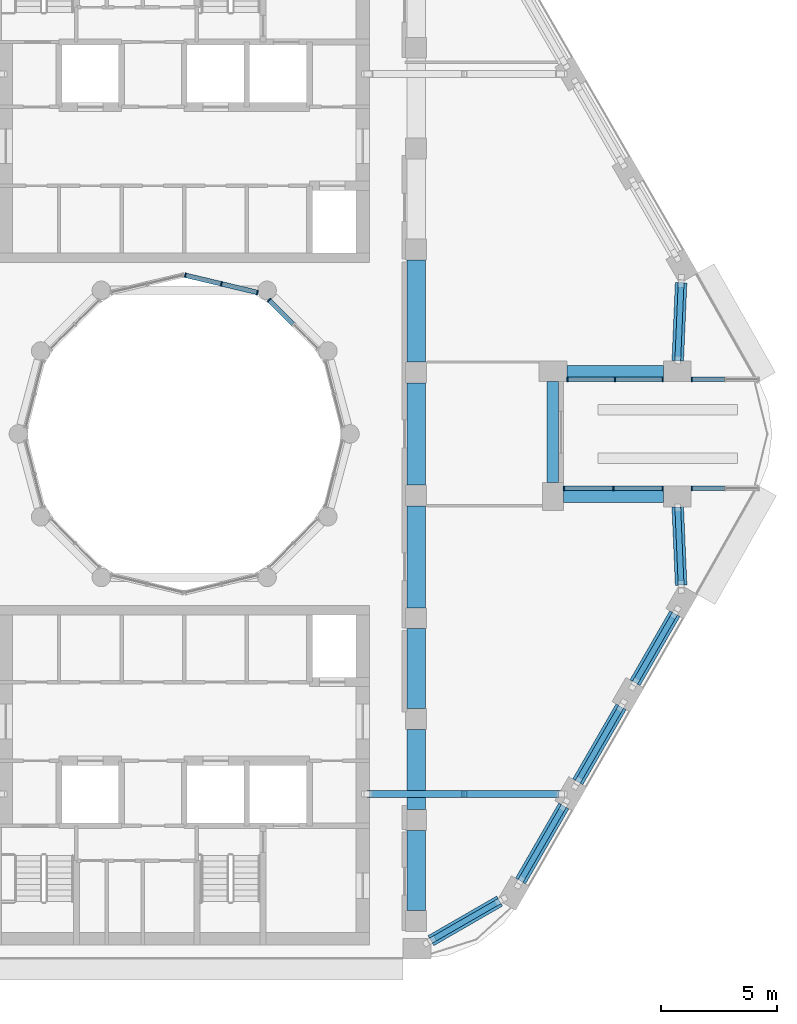
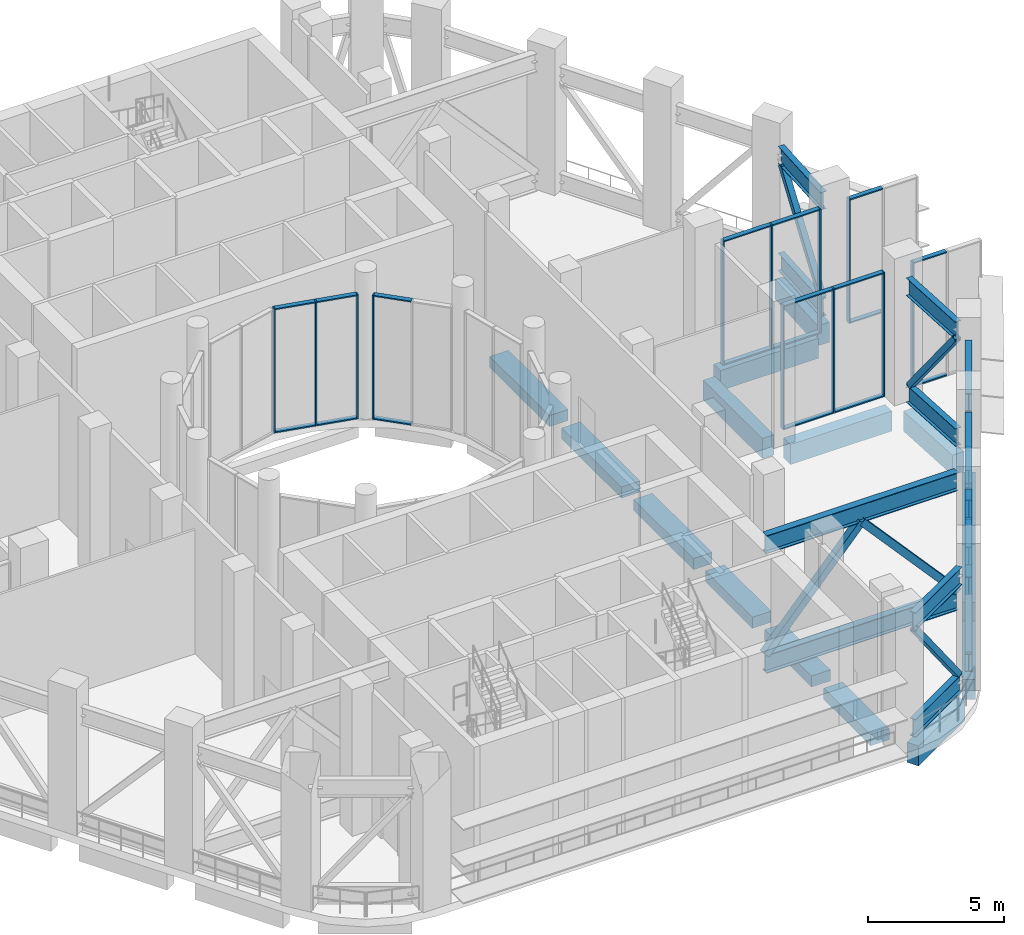
# One storey, part 4 of 19: 52 members, 15 beams, 6 elements without a shape of their own.
"""IFC4 building model written with IfcOpenShell, lengths in metres."""

import ifcopenshell
import ifcopenshell.guid

model = None  # the IFC model being written
_history = None  # IfcOwnerHistory: only IFC2X3 demands one
_inside = {}  # id of a spatial element -> (the spatial element, [elements in it])
_under = {}  # id of a project, library or spatial element -> (it, [spatial elements below it])
_declared = {}  # id of a project -> (the project, [libraries it declares])
_typed = {}  # id of a type object -> (the type object, [elements of that type])
_made_of = {}  # id of a material, layer set ... -> (it, [elements and type objects made of it])


def new_model(schema):
    """Start an empty IFC model of exactly this schema.

    Asked for "IFC4X3", IfcOpenShell would pick the latest addendum, in which some entities
    have other attributes; the version numbers below select the first issue.
    IFC2X3 requires an IfcOwnerHistory on every rooted entity: one is made here for all.
    """
    global model, _history
    if schema == "IFC4X3":
        model = ifcopenshell.file(schema_version=(4, 3, 0, 0))
    else:
        model = ifcopenshell.file(schema=schema)
    _inside.clear()
    _under.clear()
    _declared.clear()
    _typed.clear()
    _made_of.clear()
    _history = None
    if model.schema == "IFC2X3":
        org = make("IfcOrganization", Name="unknown")
        user = make(
            "IfcPersonAndOrganization",
            ThePerson=make("IfcPerson", FamilyName="unknown"),
            TheOrganization=org,
        )
        app = make(
            "IfcApplication",
            ApplicationDeveloper=org,
            Version="unknown",
            ApplicationFullName="unknown",
            ApplicationIdentifier="unknown",
        )
        _history = make(
            "IfcOwnerHistory",
            OwningUser=user,
            OwningApplication=app,
            ChangeAction="ADDED",
            CreationDate=0,
        )
    return model


def make(cls, **values):
    """One entity of the class cls with the attributes given. An attribute that is None is left unset."""
    return model.create_entity(
        cls, **{name: value for name, value in values.items() if value is not None}
    )


def rooted(cls, **values):
    """An entity with a GlobalId (a new one), such as an element, a storey or a relation."""
    return make(cls, GlobalId=ifcopenshell.guid.new(), OwnerHistory=_history, **values)


def si_unit(unit_type, name, prefix=None):
    """IfcSIUnit, for example si_unit("LENGTHUNIT", "METRE", prefix="MILLI")."""
    return make("IfcSIUnit", UnitType=unit_type, Prefix=prefix, Name=name)


def assignment(units):
    """IfcUnitAssignment: the units of a project."""
    return None if units is None else make("IfcUnitAssignment", Units=units)


def point(xyz):
    """IfcCartesianPoint."""
    return None if xyz is None else make("IfcCartesianPoint", Coordinates=xyz)


def direction(xyz):
    """IfcDirection."""
    return None if xyz is None else make("IfcDirection", DirectionRatios=xyz)


def frame(location, z_axis=None, x_axis=None):
    """IfcAxis2Placement3D, a coordinate frame: its origin and axes. An axis left out is left unset."""
    return make(
        "IfcAxis2Placement3D",
        Location=point(location),
        Axis=direction(z_axis),
        RefDirection=direction(x_axis),
    )


def frame_2d(location, x_axis=None):
    """IfcAxis2Placement2D, a coordinate frame in the plane: its origin and x axis."""
    return make(
        "IfcAxis2Placement2D", Location=point(location), RefDirection=direction(x_axis)
    )


def origin():
    """The frame at (0, 0, 0) with its axes left unset."""
    return frame((0.0, 0.0, 0.0))


def origin_2d():
    """The frame at (0, 0) in the plane with its x axis left unset."""
    return frame_2d((0.0, 0.0))


def place(relative_to, where):
    """IfcLocalPlacement: puts the frame where relative to a parent placement (None: the world)."""
    return make(
        "IfcLocalPlacement", PlacementRelTo=relative_to, RelativePlacement=where
    )


def context(
    kind, dimensions, precision=None, world=None, true_north=None, identifier=None
):
    """IfcGeometricRepresentationContext, for example the 3D "Model" context."""
    return make(
        "IfcGeometricRepresentationContext",
        ContextIdentifier=identifier,
        ContextType=kind,
        CoordinateSpaceDimension=dimensions,
        Precision=precision,
        WorldCoordinateSystem=world,
        TrueNorth=true_north,
    )


def subcontext(parent, identifier, kind, view, scale=None):
    """IfcGeometricRepresentationSubContext, for example "Body" below "Model"."""
    return make(
        "IfcGeometricRepresentationSubContext",
        ContextIdentifier=identifier,
        ContextType=kind,
        ParentContext=parent,
        TargetScale=scale,
        TargetView=view,
    )


def project(units=None, contexts=None):
    """IfcProject with its units and contexts."""
    return rooted(
        "IfcProject",
        Name="project",
        RepresentationContexts=contexts,
        UnitsInContext=assignment(units),
    )


def spatial(cls, under=None, at=None, **own):
    """A site, building, storey or space (cls), placed at a placement, below another one or the project."""
    s = rooted(cls, ObjectPlacement=at, **own)
    if under is not None:
        _under.setdefault(under.id(), (under, []))[1].append(s)
    return s


def profile(cls, at=None, kind="AREA", **sizes):
    """A parametric profile (cls). Its sizes go by their IFC names, for example OverallWidth=200.0."""
    return make(cls, ProfileType=kind, Position=at, **sizes)


def rectangle(**sizes):
    """IfcRectangleProfileDef."""
    return profile("IfcRectangleProfileDef", **sizes)


def hollow_rectangle(**sizes):
    """IfcRectangleHollowProfileDef."""
    return profile("IfcRectangleHollowProfileDef", **sizes)


def i_section(**sizes):
    """IfcIShapeProfileDef."""
    return profile("IfcIShapeProfileDef", **sizes)


def extrude(swept, where, along, depth):
    """IfcExtrudedAreaSolid: the profile swept, set in the frame where, extruded along a direction by depth."""
    return make(
        "IfcExtrudedAreaSolid",
        SweptArea=swept,
        Position=where,
        ExtrudedDirection=direction(along),
        Depth=depth,
    )


def shape(context_of_items, identifier, shape_type, items):
    """IfcShapeRepresentation: the items that make up one representation, for example the "Body"."""
    return make(
        "IfcShapeRepresentation",
        ContextOfItems=context_of_items,
        RepresentationIdentifier=identifier,
        RepresentationType=shape_type,
        Items=items,
    )


def material(Name=None, Category=None):
    """IfcMaterial."""
    return make("IfcMaterial", Name=Name, Category=Category)


def layer(
    of_material, thickness, ventilated=None, Name=None, Category=None, Priority=None
):
    """IfcMaterialLayer: one layer of a wall or slab, of a material (None: an air gap)."""
    return make(
        "IfcMaterialLayer",
        Material=of_material,
        LayerThickness=thickness,
        IsVentilated=ventilated,
        Name=Name,
        Category=Category,
        Priority=Priority,
    )


def layer_set(layers, Name=None):
    """IfcMaterialLayerSet."""
    return make("IfcMaterialLayerSet", MaterialLayers=layers, LayerSetName=Name)


def material_profile(
    of_material, cross_section, Name=None, Category=None, Priority=None
):
    """IfcMaterialProfile: a cross section and its material."""
    return make(
        "IfcMaterialProfile",
        Name=Name,
        Material=of_material,
        Profile=cross_section,
        Priority=Priority,
        Category=Category,
    )


def profile_set(profiles, Name=None, composite=None):
    """IfcMaterialProfileSet."""
    return make(
        "IfcMaterialProfileSet",
        Name=Name,
        MaterialProfiles=profiles,
        CompositeProfile=composite,
    )


def made_of(thing, what):
    """Note that an element or type object is made of a material, layer set ...; save() writes the relation."""
    if what is not None:
        _made_of.setdefault(what.id(), (what, []))[1].append(thing)
    return thing


def type_object(cls, material=None, **own):
    """A type object (cls), such as IfcWallType, which elements share."""
    return made_of(rooted(cls, **own), material)


def element(
    cls,
    number,
    at=None,
    inside=None,
    cuts=None,
    type_object=None,
    material=None,
    context=None,
    identifier="Body",
    shape_type=None,
    held_by="IfcProductDefinitionShape",
    body=None,
    shapes=None,
    **own,
):
    """One element of the class cls, such as IfcWall. Its Tag is "e" and its number.

    at: its placement. inside: the storey or other place that contains it. cuts: it is an
    opening in that element (IfcRelVoidsElement). A single representation is given by context,
    identifier, shape_type and body (its items); several are given by shapes. held_by: the class
    of the entity that holds the representations. save() writes the other relations.
    """
    e = rooted(cls, Tag="e%d" % number, ObjectPlacement=at, **own)
    if body is not None:
        shapes = [shape(context, identifier, shape_type, body)]
    if shapes is not None:
        e.Representation = make(held_by, Representations=shapes)
    if inside is not None:
        _inside.setdefault(inside.id(), (inside, []))[1].append(e)
    if cuts is not None:
        rooted(
            "IfcRelVoidsElement", RelatingBuildingElement=cuts, RelatedOpeningElement=e
        )
    if type_object is not None:
        _typed.setdefault(type_object.id(), (type_object, []))[1].append(e)
    return made_of(e, material)


def aggregate(whole, parts):
    """IfcRelAggregates: a whole, such as a stair, and the parts it consists of."""
    return rooted("IfcRelAggregates", RelatingObject=whole, RelatedObjects=parts)


def save(model, path):
    """Write the relations noted so far, then the file.

    IfcRelAggregates (storeys below a building ...), IfcRelContainedInSpatialStructure (elements
    in a storey), IfcRelDefinesByType, IfcRelAssociatesMaterial and IfcRelDeclares: one each for
    every whole, place, type object, material and project.
    """
    for whole, parts in _under.values():
        aggregate(whole, parts)
    for where, things in _inside.values():
        rooted(
            "IfcRelContainedInSpatialStructure",
            RelatedElements=things,
            RelatingStructure=where,
        )
    for kind, things in _typed.values():
        rooted("IfcRelDefinesByType", RelatedObjects=things, RelatingType=kind)
    for what, things in _made_of.values():
        rooted("IfcRelAssociatesMaterial", RelatedObjects=things, RelatingMaterial=what)
    for by, libraries in _declared.values():
        rooted("IfcRelDeclares", RelatingContext=by, RelatedDefinitions=libraries)
    model.write(path)


model = new_model("IFC4")

# Units and contexts
model_context = context("Model", 3, precision=1e-05, world=origin(), true_north=direction((0.0, 1.0)))
body_context = subcontext(model_context, "Body", "Model", "MODEL_VIEW")
ifc_project = project(units=[si_unit("LENGTHUNIT", "METRE"), si_unit("AREAUNIT", "SQUARE_METRE"), si_unit("VOLUMEUNIT", "CUBIC_METRE"), si_unit("PLANEANGLEUNIT", "RADIAN"), si_unit("MASSUNIT", "GRAM", prefix="KILO")], contexts=[model_context])

# Site, building, storey
site_placement = place(None, origin())
site = spatial("IfcSite", under=ifc_project, at=site_placement, CompositionType="ELEMENT")
building_placement = place(site_placement, origin())
building = spatial("IfcBuilding", under=site, at=building_placement, Name="Nakaniwa Court", CompositionType="ELEMENT")
storey_placement = place(building_placement, frame((0.0, 0.0, 219.60009765625)))
storey = spatial("IfcBuildingStorey", under=building, at=storey_placement, Name="S4", CompositionType="ELEMENT", Elevation=219.60009765625)

# Curtain wall, members
ifc_material_1 = material(Name="Black anodised aluminium frame with dark low-E laminated double glazing", Category="aluminium")
ifc_layer = layer(ifc_material_1, 0.199951171875)
ifc_layer_set = layer_set([ifc_layer], Name="Black anodised aluminium frame with dark low-E laminated double glazing")
curtain_wall_type = type_object("IfcCurtainWallType", Name="Amenity and sky level curtain wall", PredefinedType="NOTDEFINED", material=ifc_layer_set)
curtain_wall_1_placement = place(storey_placement, origin())
curtain_wall_1 = element("IfcCurtainWall", 1, at=curtain_wall_1_placement, inside=storey, type_object=curtain_wall_type, Name="S4 curtain wall CW3 45", PredefinedType="NOTDEFINED")
ifc_material_2 = material(Name="Black anodised aluminium extrusion", Category="aluminium")
ifc_material_profile_1 = material_profile(ifc_material_2, rectangle(XDim=0.199951171875, YDim=0.054931640625, at=origin_2d()), Name="Amenity and sky level curtain wall mullion 55x200")
ifc_profile_set_1 = profile_set([ifc_material_profile_1], Name="Black anodised aluminium extrusion")
member_type_1 = type_object("IfcMemberType", Name="Amenity and sky level curtain wall mullion 55x200", PredefinedType="MULLION", material=ifc_profile_set_1)
member_1_placement = place(storey_placement, frame((80.050048828125, 86.8408203125, 0.0), z_axis=(0.0, 0.0, 1.0), x_axis=(0.231791306712, 0.972765537081, 0.0)))
member_1 = element("IfcMember", 2, at=member_1_placement, type_object=member_type_1, Name="CW3 mullion 1", PredefinedType="MULLION", context=body_context, shape_type="SweptSolid", body=[
    extrude(rectangle(XDim=0.199951171875, YDim=0.054931640625, at=origin_2d()), origin(), (0.0, 0.0, 1.0), 5.58984375),
])
member_2_placement = place(storey_placement, frame((81.601806640625, 86.47119140625, 0.0), z_axis=(0.0, 0.0, 1.0), x_axis=(0.231791306712, 0.972765537081, 0.0)))
member_2 = element("IfcMember", 3, at=member_2_placement, type_object=member_type_1, Name="CW3 mullion 2", PredefinedType="MULLION", context=body_context, shape_type="SweptSolid", body=[
    extrude(rectangle(XDim=0.199951171875, YDim=0.054931640625, at=origin_2d()), origin(), (0.0, 0.0, 1.0), 5.58984375),
])
member_3_placement = place(storey_placement, frame((83.153564453125, 86.101318359375, 0.0), z_axis=(0.0, 0.0, 1.0), x_axis=(0.231791306712, 0.972765537081, 0.0)))
member_3 = element("IfcMember", 4, at=member_3_placement, type_object=member_type_1, Name="CW3 mullion 3", PredefinedType="MULLION", context=body_context, shape_type="SweptSolid", body=[
    extrude(rectangle(XDim=0.199951171875, YDim=0.054931640625, at=origin_2d()), origin(), (0.0, 0.0, 1.0), 5.58984375),
])

# Curtain wall, member
curtain_wall_2_placement = place(storey_placement, origin())
curtain_wall_2 = element("IfcCurtainWall", 5, at=curtain_wall_2_placement, inside=storey, type_object=curtain_wall_type, Name="S4 curtain wall CW3 46", PredefinedType="NOTDEFINED")
member_4_placement = place(storey_placement, frame((83.66259765625, 85.7685546875, 0.0), z_axis=(0.0, 0.0, 1.0), x_axis=(0.707106781187, 0.707106781187, 0.0)))
member_4 = element("IfcMember", 6, at=member_4_placement, type_object=member_type_1, Name="CW3 mullion 1", PredefinedType="MULLION", context=body_context, shape_type="SweptSolid", body=[
    extrude(rectangle(XDim=0.199951171875, YDim=0.054931640625, at=origin_2d()), origin(), (0.0, 0.0, 1.0), 5.58984375),
])

# Curtain wall, members
curtain_wall_3_placement = place(storey_placement, origin())
curtain_wall_3 = element("IfcCurtainWall", 7, at=curtain_wall_3_placement, inside=storey, type_object=curtain_wall_type, Name="S4 curtain wall CW3 00", PredefinedType="NOTDEFINED")
member_5_placement = place(storey_placement, frame((96.52294921875, 82.35009765625, 0.0), z_axis=(0.0, 0.0, 1.0), x_axis=(0.0, 1.0, 0.0)))
member_5 = element("IfcMember", 8, at=member_5_placement, type_object=member_type_1, Name="CW3 mullion 1", PredefinedType="MULLION", context=body_context, shape_type="SweptSolid", body=[
    extrude(rectangle(XDim=0.199951171875, YDim=0.054931640625, at=origin_2d()), origin(), (0.0, 0.0, 1.0), 5.58984375),
])
member_6_placement = place(storey_placement, frame((98.581787109375, 82.35009765625, 0.0), z_axis=(0.0, 0.0, 1.0), x_axis=(0.0, 1.0, 0.0)))
member_6 = element("IfcMember", 9, at=member_6_placement, type_object=member_type_1, Name="CW3 mullion 2", PredefinedType="MULLION", context=body_context, shape_type="SweptSolid", body=[
    extrude(rectangle(XDim=0.199951171875, YDim=0.054931640625, at=origin_2d()), origin(), (0.0, 0.0, 1.0), 5.58984375),
])
member_7_placement = place(storey_placement, frame((100.640380859375, 82.35009765625, 0.0), z_axis=(0.0, 0.0, 1.0), x_axis=(0.0, 1.0, 0.0)))
member_7 = element("IfcMember", 10, at=member_7_placement, type_object=member_type_1, Name="CW3 mullion 3", PredefinedType="MULLION", context=body_context, shape_type="SweptSolid", body=[
    extrude(rectangle(XDim=0.199951171875, YDim=0.054931640625, at=origin_2d()), origin(), (0.0, 0.0, 1.0), 5.58984375),
])

# Curtain wall, member
curtain_wall_4_placement = place(storey_placement, origin())
curtain_wall_4 = element("IfcCurtainWall", 11, at=curtain_wall_4_placement, inside=storey, type_object=curtain_wall_type, Name="S4 curtain wall CW3 01", PredefinedType="NOTDEFINED")
member_8_placement = place(storey_placement, frame((101.887451171875, 82.35009765625, 0.0), z_axis=(0.0, 0.0, 1.0), x_axis=(0.0, 1.0, 0.0)))
member_8 = element("IfcMember", 12, at=member_8_placement, type_object=member_type_1, Name="CW3 mullion 1", PredefinedType="MULLION", context=body_context, shape_type="SweptSolid", body=[
    extrude(rectangle(XDim=0.199951171875, YDim=0.054931640625, at=origin_2d()), origin(), (0.0, 0.0, 1.0), 5.58984375),
])

curtain_wall_5_placement = place(storey_placement, origin())
curtain_wall_5 = element("IfcCurtainWall", 13, at=curtain_wall_5_placement, inside=storey, type_object=curtain_wall_type, Name="S4 curtain wall CW3 33", PredefinedType="NOTDEFINED")
member_9_placement = place(storey_placement, frame((101.887451171875, 77.64990234375, 0.0), z_axis=(0.0, 0.0, 1.0), x_axis=(0.0, -1.0, 0.0)))
member_9 = element("IfcMember", 14, at=member_9_placement, type_object=member_type_1, Name="CW3 mullion 3", PredefinedType="MULLION", context=body_context, shape_type="SweptSolid", body=[
    extrude(rectangle(XDim=0.199951171875, YDim=0.054931640625, at=origin_2d()), origin(), (0.0, 0.0, 1.0), 5.58984375),
])

# Curtain wall, members
curtain_wall_6_placement = place(storey_placement, origin())
curtain_wall_6 = element("IfcCurtainWall", 15, at=curtain_wall_6_placement, inside=storey, type_object=curtain_wall_type, Name="S4 curtain wall CW3 34", PredefinedType="NOTDEFINED")
member_10_placement = place(storey_placement, frame((100.640380859375, 77.64990234375, 0.0), z_axis=(0.0, 0.0, 1.0), x_axis=(0.0, -1.0, 0.0)))
member_10 = element("IfcMember", 16, at=member_10_placement, type_object=member_type_1, Name="CW3 mullion 1", PredefinedType="MULLION", context=body_context, shape_type="SweptSolid", body=[
    extrude(rectangle(XDim=0.199951171875, YDim=0.054931640625, at=origin_2d()), origin(), (0.0, 0.0, 1.0), 5.58984375),
])
member_11_placement = place(storey_placement, frame((98.5068359375, 77.64990234375, 0.0), z_axis=(0.0, 0.0, 1.0), x_axis=(0.0, -1.0, 0.0)))
member_11 = element("IfcMember", 17, at=member_11_placement, type_object=member_type_1, Name="CW3 mullion 2", PredefinedType="MULLION", context=body_context, shape_type="SweptSolid", body=[
    extrude(rectangle(XDim=0.199951171875, YDim=0.054931640625, at=origin_2d()), origin(), (0.0, 0.0, 1.0), 5.58984375),
])
member_12_placement = place(storey_placement, frame((96.373046875, 77.64990234375, 0.0), z_axis=(0.0, 0.0, 1.0), x_axis=(0.0, -1.0, 0.0)))
member_12 = element("IfcMember", 18, at=member_12_placement, type_object=member_type_1, Name="CW3 mullion 3", PredefinedType="MULLION", context=body_context, shape_type="SweptSolid", body=[
    extrude(rectangle(XDim=0.199951171875, YDim=0.054931640625, at=origin_2d()), origin(), (0.0, 0.0, 1.0), 5.58984375),
])

# Member
ifc_material_profile_2 = material_profile(ifc_material_2, rectangle(XDim=0.199951171875, YDim=0.054931640625, at=origin_2d()), Name="Amenity and sky level curtain wall transom 55x200")
ifc_profile_set_2 = profile_set([ifc_material_profile_2], Name="Black anodised aluminium extrusion")
member_type_2 = type_object("IfcMemberType", Name="Amenity and sky level curtain wall transom 55x200", PredefinedType="USERDEFINED", material=ifc_profile_set_2)
member_13_placement = place(storey_placement, frame((80.07666015625, 86.83447265625, 0.02734375), z_axis=(0.972777294296, -0.231741959306, 0.0), x_axis=(0.231741959306, 0.972777294296, 0.0)))
member_13 = element("IfcMember", 19, at=member_13_placement, type_object=member_type_2, Name="CW3 transom 1.1", ObjectType="TRANSOM", PredefinedType="USERDEFINED", context=body_context, shape_type="SweptSolid", body=[
    extrude(rectangle(XDim=0.199951171875, YDim=0.054931640625, at=origin_2d()), origin(), (0.0, 0.0, 1.0), 1.540283203125),
])

member_14_placement = place(storey_placement, frame((80.07666015625, 86.83447265625, 5.5625), z_axis=(0.972777294296, -0.231741959306, 0.0), x_axis=(0.231741959306, 0.972777294296, 0.0)))
member_14 = element("IfcMember", 20, at=member_14_placement, type_object=member_type_2, Name="CW3 transom 1.2", ObjectType="TRANSOM", PredefinedType="USERDEFINED", context=body_context, shape_type="SweptSolid", body=[
    extrude(rectangle(XDim=0.199951171875, YDim=0.054931640625, at=origin_2d()), origin(), (0.0, 0.0, 1.0), 1.540283203125),
])

member_15_placement = place(storey_placement, frame((81.628662109375, 86.46484375, 0.02734375), z_axis=(0.972741550558, -0.231891948585, 0.0), x_axis=(0.231891948585, 0.972741550558, 0.0)))
member_15 = element("IfcMember", 21, at=member_15_placement, type_object=member_type_2, Name="CW3 transom 2.1", ObjectType="TRANSOM", PredefinedType="USERDEFINED", context=body_context, shape_type="SweptSolid", body=[
    extrude(rectangle(XDim=0.199951171875, YDim=0.054931640625, at=origin_2d()), origin(), (0.0, 0.0, 1.0), 1.540283203125),
])

member_16_placement = place(storey_placement, frame((81.628662109375, 86.46484375, 5.5625), z_axis=(0.972741550558, -0.231891948585, 0.0), x_axis=(0.231891948585, 0.972741550558, 0.0)))
member_16 = element("IfcMember", 22, at=member_16_placement, type_object=member_type_2, Name="CW3 transom 2.2", ObjectType="TRANSOM", PredefinedType="USERDEFINED", context=body_context, shape_type="SweptSolid", body=[
    extrude(rectangle(XDim=0.199951171875, YDim=0.054931640625, at=origin_2d()), origin(), (0.0, 0.0, 1.0), 1.540283203125),
])

aggregate(curtain_wall_1, [member_1, member_2, member_3, member_13, member_14, member_15, member_16])

member_17_placement = place(storey_placement, frame((83.68212890625, 85.7490234375, 0.02734375), z_axis=(0.707106781187, -0.707106781187, 0.0), x_axis=(0.707106781187, 0.707106781187, 0.0)))
member_17 = element("IfcMember", 23, at=member_17_placement, type_object=member_type_2, Name="CW3 transom 1.1", ObjectType="TRANSOM", PredefinedType="USERDEFINED", context=body_context, shape_type="SweptSolid", body=[
    extrude(rectangle(XDim=0.199951171875, YDim=0.054931640625, at=origin_2d()), origin(), (0.0, 0.0, 1.0), 1.433837890625),
])

member_18_placement = place(storey_placement, frame((83.68212890625, 85.7490234375, 5.5625), z_axis=(0.707106781187, -0.707106781187, 0.0), x_axis=(0.707106781187, 0.707106781187, 0.0)))
member_18 = element("IfcMember", 24, at=member_18_placement, type_object=member_type_2, Name="CW3 transom 1.2", ObjectType="TRANSOM", PredefinedType="USERDEFINED", context=body_context, shape_type="SweptSolid", body=[
    extrude(rectangle(XDim=0.199951171875, YDim=0.054931640625, at=origin_2d()), origin(), (0.0, 0.0, 1.0), 1.433837890625),
])

aggregate(curtain_wall_2, [member_4, member_17, member_18])

member_19_placement = place(storey_placement, frame((96.550537109375, 82.35009765625, 0.02734375), z_axis=(1.0, 0.0, 0.0), x_axis=(0.0, 1.0, 0.0)))
member_19 = element("IfcMember", 25, at=member_19_placement, type_object=member_type_2, Name="CW3 transom 1.1", ObjectType="TRANSOM", PredefinedType="USERDEFINED", context=body_context, shape_type="SweptSolid", body=[
    extrude(rectangle(XDim=0.199951171875, YDim=0.054931640625, at=origin_2d()), origin(), (0.0, 0.0, 1.0), 2.003662109375),
])

member_20_placement = place(storey_placement, frame((96.550537109375, 82.35009765625, 5.5625), z_axis=(1.0, 0.0, 0.0), x_axis=(0.0, 1.0, 0.0)))
member_20 = element("IfcMember", 26, at=member_20_placement, type_object=member_type_2, Name="CW3 transom 1.2", ObjectType="TRANSOM", PredefinedType="USERDEFINED", context=body_context, shape_type="SweptSolid", body=[
    extrude(rectangle(XDim=0.199951171875, YDim=0.054931640625, at=origin_2d()), origin(), (0.0, 0.0, 1.0), 2.003662109375),
])

member_21_placement = place(storey_placement, frame((98.609130859375, 82.35009765625, 0.02734375), z_axis=(1.0, 0.0, 0.0), x_axis=(0.0, 1.0, 0.0)))
member_21 = element("IfcMember", 27, at=member_21_placement, type_object=member_type_2, Name="CW3 transom 2.1", ObjectType="TRANSOM", PredefinedType="USERDEFINED", context=body_context, shape_type="SweptSolid", body=[
    extrude(rectangle(XDim=0.199951171875, YDim=0.054931640625, at=origin_2d()), origin(), (0.0, 0.0, 1.0), 2.00390625),
])

member_22_placement = place(storey_placement, frame((98.609130859375, 82.35009765625, 5.5625), z_axis=(1.0, 0.0, 0.0), x_axis=(0.0, 1.0, 0.0)))
member_22 = element("IfcMember", 28, at=member_22_placement, type_object=member_type_2, Name="CW3 transom 2.2", ObjectType="TRANSOM", PredefinedType="USERDEFINED", context=body_context, shape_type="SweptSolid", body=[
    extrude(rectangle(XDim=0.199951171875, YDim=0.054931640625, at=origin_2d()), origin(), (0.0, 0.0, 1.0), 2.00390625),
])

aggregate(curtain_wall_3, [member_5, member_6, member_7, member_19, member_20, member_21, member_22])

member_23_placement = place(storey_placement, frame((101.9150390625, 82.35009765625, 0.02734375), z_axis=(1.0, 0.0, 0.0), x_axis=(0.0, 1.0, 0.0)))
member_23 = element("IfcMember", 29, at=member_23_placement, type_object=member_type_2, Name="CW3 transom 1.1", ObjectType="TRANSOM", PredefinedType="USERDEFINED", context=body_context, shape_type="SweptSolid", body=[
    extrude(rectangle(XDim=0.199951171875, YDim=0.054931640625, at=origin_2d()), origin(), (0.0, 0.0, 1.0), 1.386474609375),
])

member_24_placement = place(storey_placement, frame((101.9150390625, 82.35009765625, 5.5625), z_axis=(1.0, 0.0, 0.0), x_axis=(0.0, 1.0, 0.0)))
member_24 = element("IfcMember", 30, at=member_24_placement, type_object=member_type_2, Name="CW3 transom 1.2", ObjectType="TRANSOM", PredefinedType="USERDEFINED", context=body_context, shape_type="SweptSolid", body=[
    extrude(rectangle(XDim=0.199951171875, YDim=0.054931640625, at=origin_2d()), origin(), (0.0, 0.0, 1.0), 1.386474609375),
])

aggregate(curtain_wall_4, [member_8, member_23, member_24])

member_25_placement = place(storey_placement, frame((103.301513671875, 77.64990234375, 0.02734375), z_axis=(-1.0, 0.0, 0.0), x_axis=(0.0, -1.0, 0.0)))
member_25 = element("IfcMember", 31, at=member_25_placement, type_object=member_type_2, Name="CW3 transom 2.1", ObjectType="TRANSOM", PredefinedType="USERDEFINED", context=body_context, shape_type="SweptSolid", body=[
    extrude(rectangle(XDim=0.199951171875, YDim=0.054931640625, at=origin_2d()), origin(), (0.0, 0.0, 1.0), 1.386474609375),
])

member_26_placement = place(storey_placement, frame((103.301513671875, 77.64990234375, 5.5625), z_axis=(-1.0, 0.0, 0.0), x_axis=(0.0, -1.0, 0.0)))
member_26 = element("IfcMember", 32, at=member_26_placement, type_object=member_type_2, Name="CW3 transom 2.2", ObjectType="TRANSOM", PredefinedType="USERDEFINED", context=body_context, shape_type="SweptSolid", body=[
    extrude(rectangle(XDim=0.199951171875, YDim=0.054931640625, at=origin_2d()), origin(), (0.0, 0.0, 1.0), 1.386474609375),
])

aggregate(curtain_wall_5, [member_9, member_25, member_26])

member_27_placement = place(storey_placement, frame((100.613037109375, 77.64990234375, 0.02734375), z_axis=(-1.0, 0.0, 0.0), x_axis=(0.0, -1.0, 0.0)))
member_27 = element("IfcMember", 33, at=member_27_placement, type_object=member_type_2, Name="CW3 transom 1.1", ObjectType="TRANSOM", PredefinedType="USERDEFINED", context=body_context, shape_type="SweptSolid", body=[
    extrude(rectangle(XDim=0.199951171875, YDim=0.054931640625, at=origin_2d()), origin(), (0.0, 0.0, 1.0), 2.078857421875),
])

member_28_placement = place(storey_placement, frame((100.613037109375, 77.64990234375, 5.5625), z_axis=(-1.0, 0.0, 0.0), x_axis=(0.0, -1.0, 0.0)))
member_28 = element("IfcMember", 34, at=member_28_placement, type_object=member_type_2, Name="CW3 transom 1.2", ObjectType="TRANSOM", PredefinedType="USERDEFINED", context=body_context, shape_type="SweptSolid", body=[
    extrude(rectangle(XDim=0.199951171875, YDim=0.054931640625, at=origin_2d()), origin(), (0.0, 0.0, 1.0), 2.078857421875),
])

member_29_placement = place(storey_placement, frame((98.479248046875, 77.64990234375, 0.02734375), z_axis=(-1.0, 0.0, 0.0), x_axis=(0.0, -1.0, 0.0)))
member_29 = element("IfcMember", 35, at=member_29_placement, type_object=member_type_2, Name="CW3 transom 2.1", ObjectType="TRANSOM", PredefinedType="USERDEFINED", context=body_context, shape_type="SweptSolid", body=[
    extrude(rectangle(XDim=0.199951171875, YDim=0.054931640625, at=origin_2d()), origin(), (0.0, 0.0, 1.0), 2.078857421875),
])

member_30_placement = place(storey_placement, frame((98.479248046875, 77.64990234375, 5.5625), z_axis=(-1.0, 0.0, 0.0), x_axis=(0.0, -1.0, 0.0)))
member_30 = element("IfcMember", 36, at=member_30_placement, type_object=member_type_2, Name="CW3 transom 2.2", ObjectType="TRANSOM", PredefinedType="USERDEFINED", context=body_context, shape_type="SweptSolid", body=[
    extrude(rectangle(XDim=0.199951171875, YDim=0.054931640625, at=origin_2d()), origin(), (0.0, 0.0, 1.0), 2.078857421875),
])

aggregate(curtain_wall_6, [member_10, member_11, member_12, member_27, member_28, member_29, member_30])

# Members
ifc_material_3 = material(Name="Steel Grade 350", Category="steel")
ifc_material_profile_3 = material_profile(ifc_material_3, i_section(OverallWidth=0.25, OverallDepth=0.7919921875, WebThickness=0.010009765625, FlangeThickness=0.01611328125, at=origin_2d()), Name="800WB122")
ifc_profile_set_3 = profile_set([ifc_material_profile_3], Name="Steel Grade 350")
member_type_3 = type_object("IfcMemberType", Name="BELT chord 800 WB122", PredefinedType="CHORD", material=ifc_profile_set_3)
for number, where, z_axis, x_axis, name in (
    (37, (90.639404296875, 58.14599609375, 0.39599609375), (0.866361397704, 0.499417589367, 0.0), (-0.499417589367, 0.866361397704, 0.0), "BELT CHORD BT-12-B"),
    (38, (90.639404296875, 58.14599609375, 5.19384765625), (0.866361397704, 0.499417589367, 0.0), (-0.499417589367, 0.866361397704, 0.0), "BELT CHORD BT-12-T"),
):
    element("IfcMember", number, at=place(storey_placement, frame(where, z_axis=z_axis, x_axis=x_axis)), inside=storey, type_object=member_type_3, Name=name, PredefinedType="CHORD", context=body_context, shape_type="SweptSolid", body=[
        extrude(i_section(OverallWidth=0.25, OverallDepth=0.7919921875, WebThickness=0.010009765625, FlangeThickness=0.01611328125, at=origin_2d()), origin(), (0.0, 0.0, 1.0), 3.42041015625),
    ])
for number, where, z_axis, x_axis, name in (
    (39, (94.503173828125, 60.72021484375, 0.39599609375), (0.499969460568, 0.866043035016, 0.0), (-0.866043035016, 0.499969460568, 0.0), "BELT CHORD BT-13-B"),
    (40, (94.503173828125, 60.72021484375, 5.19384765625), (0.499969460568, 0.866043035016, 0.0), (-0.866043035016, 0.499969460568, 0.0), "BELT CHORD BT-13-T"),
    (41, (96.97119140625, 64.9951171875, 0.39599609375), (0.500018470369, 0.866014739649, 0.0), (-0.866014739649, 0.500018470369, 0.0), "BELT CHORD BT-14-B"),
    (42, (96.97119140625, 64.9951171875, 5.19384765625), (0.500018470369, 0.866014739649, 0.0), (-0.866014739649, 0.500018470369, 0.0), "BELT CHORD BT-14-T"),
):
    element("IfcMember", number, at=place(storey_placement, frame(where, z_axis=z_axis, x_axis=x_axis)), inside=storey, type_object=member_type_3, Name=name, PredefinedType="CHORD", context=body_context, shape_type="SweptSolid", body=[
        extrude(i_section(OverallWidth=0.25, OverallDepth=0.7919921875, WebThickness=0.010009765625, FlangeThickness=0.01611328125, at=origin_2d()), origin(), (0.0, 0.0, 1.0), 3.736083984375),
    ])
for number, where, z_axis, x_axis, name in (
    (43, (99.439208984375, 69.27001953125, 0.39599609375), (0.500048133448, 0.865997612142, 0.0), (-0.865997612142, 0.500048133448, 0.0), "BELT CHORD BT-15-B"),
    (44, (99.439208984375, 69.27001953125, 5.19384765625), (0.500048133448, 0.865997612142, 0.0), (-0.865997612142, 0.500048133448, 0.0), "BELT CHORD BT-15-T"),
):
    element("IfcMember", number, at=place(storey_placement, frame(where, z_axis=z_axis, x_axis=x_axis)), inside=storey, type_object=member_type_3, Name=name, PredefinedType="CHORD", context=body_context, shape_type="SweptSolid", body=[
        extrude(i_section(OverallWidth=0.25, OverallDepth=0.7919921875, WebThickness=0.010009765625, FlangeThickness=0.01611328125, at=origin_2d()), origin(), (0.0, 0.0, 1.0), 3.439208984375),
    ])
for number, where, z_axis, x_axis, name in (
    (45, (101.42822265625, 73.478271484375, 0.39599609375), (-0.042897265713, 0.999079488627, 0.0), (-0.999079488627, -0.042897265713, 0.0), "BELT CHORD BT-16-B"),
    (46, (101.42822265625, 73.478271484375, 5.19384765625), (-0.042897265713, 0.999079488627, 0.0), (-0.999079488627, -0.042897265713, 0.0), "BELT CHORD BT-16-T"),
    (47, (101.283447265625, 83.14990234375, 0.39599609375), (0.042897265713, 0.999079488627, 0.0), (-0.999079488627, 0.042897265713, 0.0), "BELT CHORD BT-17-B"),
    (48, (101.283447265625, 83.14990234375, 5.19384765625), (0.042897265713, 0.999079488627, 0.0), (-0.999079488627, 0.042897265713, 0.0), "BELT CHORD BT-17-T"),
):
    element("IfcMember", number, at=place(storey_placement, frame(where, z_axis=z_axis, x_axis=x_axis)), inside=storey, type_object=member_type_3, Name=name, PredefinedType="CHORD", context=body_context, shape_type="SweptSolid", body=[
        extrude(i_section(OverallWidth=0.25, OverallDepth=0.7919921875, WebThickness=0.010009765625, FlangeThickness=0.01611328125, at=origin_2d()), origin(), (0.0, 0.0, 1.0), 3.375),
    ])
ifc_material_profile_4 = material_profile(ifc_material_3, hollow_rectangle(XDim=0.25, YDim=0.25, WallThickness=0.012451171875, at=origin_2d()), Name="BELT diagonal 250x250x12.5 SHS")
ifc_profile_set_4 = profile_set([ifc_material_profile_4], Name="Steel Grade 350")
member_type_4 = type_object("IfcMemberType", Name="BELT diagonal 250x250x12.5 SHS", PredefinedType="BRACE", material=ifc_profile_set_4)
member_31_placement = place(storey_placement, frame((90.72607421875, 58.19580078125, 4.7978515625), z_axis=(0.542815748884, 0.312969283286, -0.779359538649), x_axis=(-0.499490556168, 0.866319331597, 0.0)))
element("IfcMember", 49, at=member_31_placement, inside=storey, type_object=member_type_4, Name="BELT DIAGONAL BT-12-D", PredefinedType="BRACE", context=body_context, shape_type="SweptSolid", body=[
    extrude(hollow_rectangle(XDim=0.25, YDim=0.25, WallThickness=0.012451171875, at=origin_2d()), origin(), (0.0, 0.0, 1.0), 5.139892578125),
])
for number, where, z_axis, x_axis, name in (
    (50, (94.552978515625, 60.806640625, 0.7919921875), (0.330928871887, 0.573128782128, 0.749672915909), (-0.866003932398, 0.500037187688, 0.0), "BELT DIAGONAL BT-13-D"),
    (51, (97.021240234375, 65.08154296875, 4.7978515625), (0.330888185123, 0.573137447415, -0.749684250413), (-0.866033827394, 0.499985409597, 0.0), "BELT DIAGONAL BT-14-D"),
):
    element("IfcMember", number, at=place(storey_placement, frame(where, z_axis=z_axis, x_axis=x_axis)), inside=storey, type_object=member_type_4, Name=name, PredefinedType="BRACE", context=body_context, shape_type="SweptSolid", body=[
        extrude(hollow_rectangle(XDim=0.25, YDim=0.25, WallThickness=0.012451171875, at=origin_2d()), origin(), (0.0, 0.0, 1.0), 5.343505859375),
    ])
member_32_placement = place(storey_placement, frame((99.4892578125, 69.3564453125, 0.7919921875), z_axis=(0.314392570188, 0.544523761149, 0.77759320043), x_axis=(-0.86601739438, 0.500013872438, 0.0)))
element("IfcMember", 52, at=member_32_placement, inside=storey, type_object=member_type_4, Name="BELT DIAGONAL BT-15-D", PredefinedType="BRACE", context=body_context, shape_type="SweptSolid", body=[
    extrude(hollow_rectangle(XDim=0.25, YDim=0.25, WallThickness=0.012451171875, at=origin_2d()), origin(), (0.0, 0.0, 1.0), 5.151611328125),
])
for number, where, z_axis, x_axis, name in (
    (53, (101.424072265625, 73.578125, 4.7978515625), (-0.026700087947, 0.620550165671, -0.783712062679), (-0.999075644334, -0.042986706064, 0.0), "BELT DIAGONAL BT-16-D"),
    (54, (101.28759765625, 83.25, 0.7919921875), (0.026700087947, 0.620550165671, 0.783712062679), (-0.999075644334, 0.042986706064, 0.0), "BELT DIAGONAL BT-17-D"),
):
    element("IfcMember", number, at=place(storey_placement, frame(where, z_axis=z_axis, x_axis=x_axis)), inside=storey, type_object=member_type_4, Name=name, PredefinedType="BRACE", context=body_context, shape_type="SweptSolid", body=[
        extrude(hollow_rectangle(XDim=0.25, YDim=0.25, WallThickness=0.012451171875, at=origin_2d()), origin(), (0.0, 0.0, 1.0), 5.111328125),
    ])

# Beams
ifc_material_4 = material(Name="Concrete C80/100", Category="concrete")
ifc_material_profile_5 = material_profile(ifc_material_4, rectangle(XDim=0.5, YDim=0.89990234375, at=origin_2d()), Name="Concrete C80/100 RC 500x900 spandrel beam")
ifc_profile_set_5 = profile_set([ifc_material_profile_5], Name="Concrete C80/100")
beam_type_1 = type_object("IfcBeamType", Name="Concrete C80/100 RC 500x900 spandrel beam", PredefinedType="BEAM", material=ifc_profile_set_5)
beam_1_placement = place(storey_placement, frame((90.639404296875, 58.14599609375, -0.800048828125), z_axis=(0.866361397704, 0.499417589367, 0.0), x_axis=(-0.499417589367, 0.866361397704, 0.0)))
element("IfcBeam", 55, at=beam_1_placement, inside=storey, type_object=beam_type_1, Name="SPANDREL BEAM", PredefinedType="BEAM", context=body_context, shape_type="SweptSolid", body=[
    extrude(rectangle(XDim=0.5, YDim=0.89990234375, at=origin_2d()), origin(), (0.0, 0.0, 1.0), 3.42041015625),
])
for number, where, z_axis, x_axis, name in (
    (56, (94.503173828125, 60.72021484375, -0.800048828125), (0.499969460568, 0.866043035016, 0.0), (-0.866043035016, 0.499969460568, 0.0), "SPANDREL BEAM"),
    (57, (96.97119140625, 64.9951171875, -0.800048828125), (0.500018470369, 0.866014739649, 0.0), (-0.866014739649, 0.500018470369, 0.0), "SPANDREL BEAM"),
):
    element("IfcBeam", number, at=place(storey_placement, frame(where, z_axis=z_axis, x_axis=x_axis)), inside=storey, type_object=beam_type_1, Name=name, PredefinedType="BEAM", context=body_context, shape_type="SweptSolid", body=[
        extrude(rectangle(XDim=0.5, YDim=0.89990234375, at=origin_2d()), origin(), (0.0, 0.0, 1.0), 3.736083984375),
    ])
beam_2_placement = place(storey_placement, frame((99.439208984375, 69.27001953125, -0.800048828125), z_axis=(0.500048133448, 0.865997612142, 0.0), x_axis=(-0.865997612142, 0.500048133448, 0.0)))
element("IfcBeam", 58, at=beam_2_placement, inside=storey, type_object=beam_type_1, Name="SPANDREL BEAM", PredefinedType="BEAM", context=body_context, shape_type="SweptSolid", body=[
    extrude(rectangle(XDim=0.5, YDim=0.89990234375, at=origin_2d()), origin(), (0.0, 0.0, 1.0), 3.439208984375),
])
beam_3_placement = place(storey_placement, frame((101.42822265625, 73.478271484375, -0.800048828125), z_axis=(-0.042897265713, 0.999079488627, 0.0), x_axis=(-0.999079488627, -0.042897265713, 0.0)))
element("IfcBeam", 59, at=beam_3_placement, inside=storey, type_object=beam_type_1, Name="SPANDREL BEAM", PredefinedType="BEAM", context=body_context, shape_type="SweptSolid", body=[
    extrude(rectangle(XDim=0.5, YDim=0.89990234375, at=origin_2d()), origin(), (0.0, 0.0, 1.0), 3.375),
])
beam_4_placement = place(storey_placement, frame((100.6640625, 77.300048828125, -0.800048828125), z_axis=(-1.0, 0.0, 0.0), x_axis=(0.0, -1.0, 0.0)))
element("IfcBeam", 60, at=beam_4_placement, inside=storey, type_object=beam_type_1, Name="SPANDREL BEAM", PredefinedType="BEAM", context=body_context, shape_type="SweptSolid", body=[
    extrude(rectangle(XDim=0.5, YDim=0.89990234375, at=origin_2d()), origin(), (0.0, 0.0, 1.0), 4.314453125),
])
beam_5_placement = place(storey_placement, frame((95.8994140625, 77.89990234375, -0.800048828125), z_axis=(0.0, 1.0, 0.0), x_axis=(-1.0, 0.0, 0.0)))
element("IfcBeam", 61, at=beam_5_placement, inside=storey, type_object=beam_type_1, Name="SPANDREL BEAM", PredefinedType="BEAM", context=body_context, shape_type="SweptSolid", body=[
    extrude(rectangle(XDim=0.5, YDim=0.89990234375, at=origin_2d()), origin(), (0.0, 0.0, 1.0), 4.35009765625),
])
beam_6_placement = place(storey_placement, frame((96.49951171875, 82.699951171875, -0.800048828125), z_axis=(1.0, 0.0, 0.0), x_axis=(0.0, 1.0, 0.0)))
element("IfcBeam", 62, at=beam_6_placement, inside=storey, type_object=beam_type_1, Name="SPANDREL BEAM", PredefinedType="BEAM", context=body_context, shape_type="SweptSolid", body=[
    extrude(rectangle(XDim=0.5, YDim=0.89990234375, at=origin_2d()), origin(), (0.0, 0.0, 1.0), 4.16455078125),
])
beam_7_placement = place(storey_placement, frame((101.283447265625, 83.14990234375, -0.800048828125), z_axis=(0.042897265713, 0.999079488627, 0.0), x_axis=(-0.999079488627, 0.042897265713, 0.0)))
element("IfcBeam", 63, at=beam_7_placement, inside=storey, type_object=beam_type_1, Name="SPANDREL BEAM", PredefinedType="BEAM", context=body_context, shape_type="SweptSolid", body=[
    extrude(rectangle(XDim=0.5, YDim=0.89990234375, at=origin_2d()), origin(), (0.0, 0.0, 1.0), 3.375),
])
ifc_material_profile_6 = material_profile(ifc_material_4, rectangle(XDim=0.800048828125, YDim=0.5, at=origin_2d()), Name="Concrete C80/100 RC 800x500 ring beam")
ifc_profile_set_6 = profile_set([ifc_material_profile_6], Name="Concrete C80/100")
beam_type_2 = type_object("IfcBeamType", Name="Concrete C80/100 RC 800x500 ring beam", PredefinedType="BEAM", material=ifc_profile_set_6)
for number, where, z_axis, x_axis, name in (
    (64, (90.0, 59.449951171875, -0.60009765625), (0.0, 1.0, 0.0), (-1.0, 0.0, 0.0), "RING BEAM"),
    (65, (90.0, 63.800048828125, -0.60009765625), (0.0, 1.0, 0.0), (-1.0, 0.0, 0.0), "RING BEAM"),
):
    element("IfcBeam", number, at=place(storey_placement, frame(where, z_axis=z_axis, x_axis=x_axis)), inside=storey, type_object=beam_type_2, Name=name, PredefinedType="BEAM", context=body_context, shape_type="SweptSolid", body=[
        extrude(rectangle(XDim=0.800048828125, YDim=0.5, at=origin_2d()), origin(), (0.0, 0.0, 1.0), 3.449951171875),
    ])
beam_8_placement = place(storey_placement, frame((90.0, 68.14990234375, -0.60009765625), z_axis=(0.0, 1.0, 0.0), x_axis=(-1.0, 0.0, 0.0)))
element("IfcBeam", 66, at=beam_8_placement, inside=storey, type_object=beam_type_2, Name="RING BEAM", PredefinedType="BEAM", context=body_context, shape_type="SweptSolid", body=[
    extrude(rectangle(XDim=0.800048828125, YDim=0.5, at=origin_2d()), origin(), (0.0, 0.0, 1.0), 3.4501953125),
])
for number, where, z_axis, x_axis, name in (
    (67, (90.0, 72.5, -0.60009765625), (0.0, 1.0, 0.0), (-1.0, 0.0, 0.0), "RING BEAM"),
    (68, (90.0, 77.800048828125, -0.60009765625), (0.0, 1.0, 0.0), (-1.0, 0.0, 0.0), "RING BEAM"),
    (69, (90.0, 83.10009765625, -0.60009765625), (0.0, 1.0, 0.0), (-1.0, 0.0, 0.0), "RING BEAM"),
):
    element("IfcBeam", number, at=place(storey_placement, frame(where, z_axis=z_axis, x_axis=x_axis)), inside=storey, type_object=beam_type_2, Name=name, PredefinedType="BEAM", context=body_context, shape_type="SweptSolid", body=[
        extrude(rectangle(XDim=0.800048828125, YDim=0.5, at=origin_2d()), origin(), (0.0, 0.0, 1.0), 4.39990234375),
    ])

# Members
ifc_material_profile_7 = material_profile(ifc_material_3, i_section(OverallWidth=0.300048828125, OverallDepth=0.81591796875, WebThickness=0.010009765625, FlangeThickness=0.028076171875, at=origin_2d()), Name="800WB192")
ifc_profile_set_7 = profile_set([ifc_material_profile_7], Name="Steel Grade 350")
member_type_5 = type_object("IfcMemberType", Name="OUTRIGGER chord 800 WB192", PredefinedType="CHORD", material=ifc_profile_set_7)
for number, where, z_axis, x_axis, name in (
    (70, (88.0, 64.475341796875, 0.407958984375), (1.0, 0.0, 0.0), (0.0, 1.0, 0.0), "OUTRIGGER CHORD OT-03-B"),
    (71, (88.0, 64.475341796875, 5.781982421875), (1.0, 0.0, 0.0), (0.0, 1.0, 0.0), "OUTRIGGER CHORD OT-03-T"),
):
    element("IfcMember", number, at=place(storey_placement, frame(where, z_axis=z_axis, x_axis=x_axis)), inside=storey, type_object=member_type_5, Name=name, PredefinedType="CHORD", context=body_context, shape_type="SweptSolid", body=[
        extrude(i_section(OverallWidth=0.300048828125, OverallDepth=0.81591796875, WebThickness=0.010009765625, FlangeThickness=0.028076171875, at=origin_2d()), origin(), (0.0, 0.0, 1.0), 8.151611328125),
    ])
ifc_material_profile_8 = material_profile(ifc_material_3, hollow_rectangle(XDim=0.300048828125, YDim=0.300048828125, WallThickness=0.01611328125, at=origin_2d()), Name="OUTRIGGER diagonal 300x300x16 SHS")
ifc_profile_set_8 = profile_set([ifc_material_profile_8], Name="Steel Grade 350")
member_type_6 = type_object("IfcMemberType", Name="OUTRIGGER diagonal 300x300x16 SHS", PredefinedType="BRACE", material=ifc_profile_set_8)
member_33_placement = place(storey_placement, frame((88.0, 64.475341796875, 0.81591796875), z_axis=(0.666556732169, 0.0, 0.745454306313), x_axis=(0.0, 1.0, 0.0)))
element("IfcMember", 72, at=member_33_placement, inside=storey, type_object=member_type_6, Name="OUTRIGGER DIAGONAL OT-03-D1", PredefinedType="BRACE", context=body_context, shape_type="SweptSolid", body=[
    extrude(hollow_rectangle(XDim=0.300048828125, YDim=0.300048828125, WallThickness=0.01611328125, at=origin_2d()), origin(), (0.0, 0.0, 1.0), 6.114501953125),
])
member_34_placement = place(storey_placement, frame((92.07568359375, 64.475341796875, 5.3740234375), z_axis=(0.666578919314, 0.0, -0.745434466822), x_axis=(0.0, 1.0, 0.0)))
element("IfcMember", 73, at=member_34_placement, inside=storey, type_object=member_type_6, Name="OUTRIGGER DIAGONAL OT-03-D2", PredefinedType="BRACE", context=body_context, shape_type="SweptSolid", body=[
    extrude(hollow_rectangle(XDim=0.300048828125, YDim=0.300048828125, WallThickness=0.01611328125, at=origin_2d()), origin(), (0.0, 0.0, 1.0), 6.11474609375),
])

save(model, "model.ifc")
